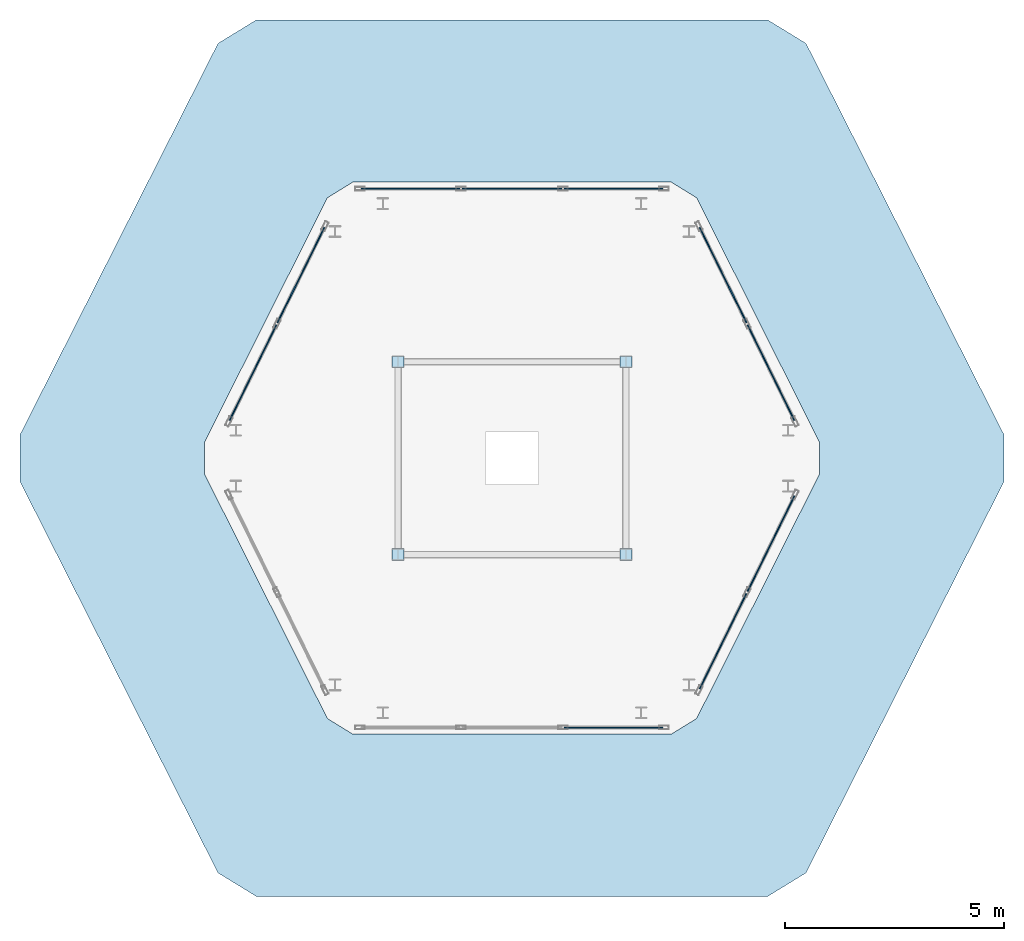
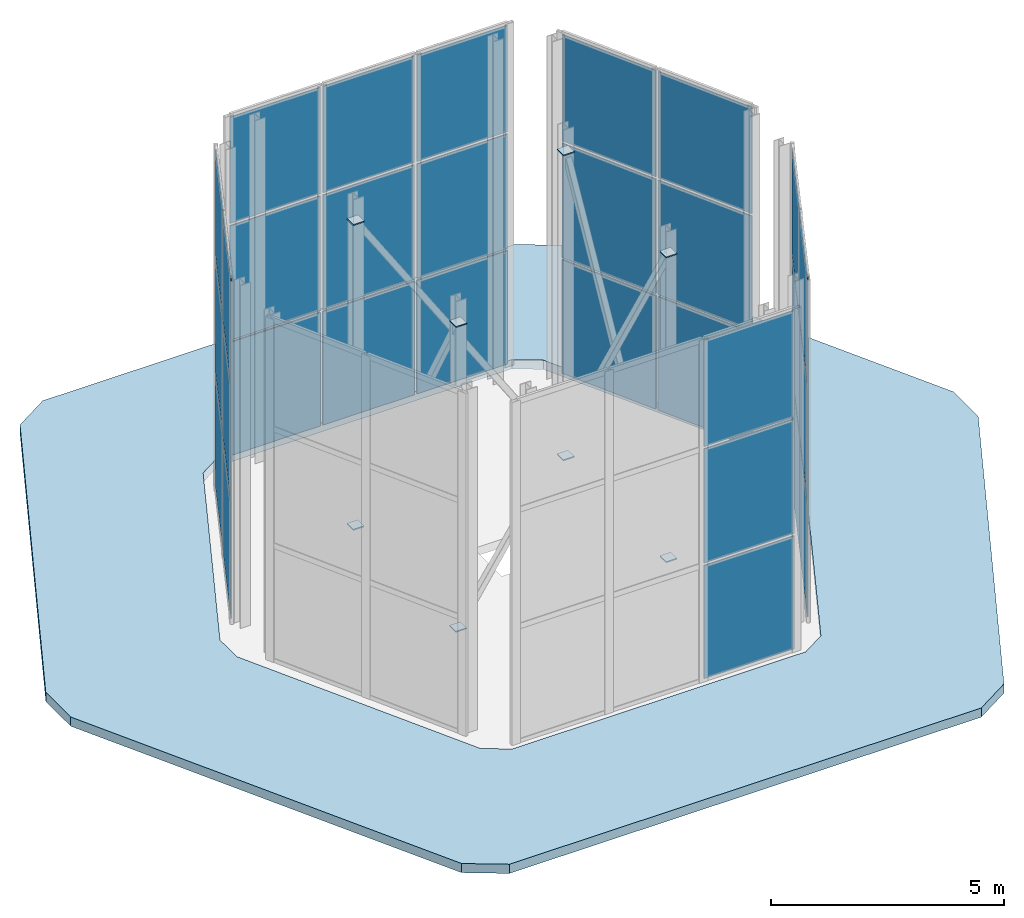
# One storey, part 3 of 3: 38 plates, 1 slab, 5 elements without a shape of their own.
"""IFC4 building model written with IfcOpenShell, lengths in metres."""

from ifc_helpers import new_model, si_unit, direction, frame, origin, origin_2d, place, context, subcontext, project, spatial, polyline, rectangle, outline, extrude, material, layer, layer_set, type_object, element, aggregate, save


model = new_model("IFC4")

# Units and contexts
model_context = context("Model", 3, precision=1e-05, world=origin(), true_north=direction((0.0, 1.0)))
body_context = subcontext(model_context, "Body", "Model", "MODEL_VIEW")
ifc_project = project(units=[si_unit("LENGTHUNIT", "METRE"), si_unit("AREAUNIT", "SQUARE_METRE"), si_unit("VOLUMEUNIT", "CUBIC_METRE"), si_unit("PLANEANGLEUNIT", "RADIAN"), si_unit("MASSUNIT", "GRAM", prefix="KILO")], contexts=[model_context])

# Site, building, storey
site_placement = place(None, origin())
site = spatial("IfcSite", under=ifc_project, at=site_placement, CompositionType="ELEMENT")
building_placement = place(site_placement, origin())
building = spatial("IfcBuilding", under=site, at=building_placement, Name="Cinnabar Lancet Tower", CompositionType="ELEMENT")
storey_placement = place(building_placement, frame((0.0, 0.0, 333.02490234375)))
storey = spatial("IfcBuildingStorey", under=building, at=storey_placement, Name="L83", CompositionType="ELEMENT", Elevation=333.02490234375)

# Curtain wall, plates
ifc_material_1 = material(Name="Thermally broken bronze-anodized aluminium and low-E glass", Category="aluminium")
ifc_layer_1 = layer(ifc_material_1, 0.179931640625)
ifc_layer_set_1 = layer_set([ifc_layer_1], Name="Thermally broken bronze-anodized aluminium and low-E glass")
curtain_wall_type = type_object("IfcCurtainWallType", Name="ENV-CW-SYS-06", PredefinedType="NOTDEFINED", material=ifc_layer_set_1)
curtain_wall_1_placement = place(storey_placement, origin())
curtain_wall_1 = element("IfcCurtainWall", 1, at=curtain_wall_1_placement, inside=storey, type_object=curtain_wall_type, Name="L83 Faceted Lancet Crown Curtain Wall 2", PredefinedType="NOTDEFINED")
ifc_material_2 = material(Name="Acoustic solar-control low-E laminated glass unit", Category="glass")
ifc_layer_2 = layer(ifc_material_2, 0.035888671875)
ifc_layer_set_2 = layer_set([ifc_layer_2], Name="Acoustic solar-control low-E laminated glass unit")
plate_type_1 = type_object("IfcPlateType", Name="ENV-CW-PNL-36", PredefinedType="CURTAIN_PANEL", material=ifc_layer_set_2)
plate_1_placement = place(storey_placement, frame((34.71630859375, 19.64990234375, 0.06005859375), z_axis=(0.0, 0.0, 1.0), x_axis=(1.0, 0.0, 0.0)))
plate_1 = element("IfcPlate", 2, at=plate_1_placement, type_object=plate_type_1, Name="CW-06 panel 3.1", PredefinedType="CURTAIN_PANEL", context=body_context, shape_type="SweptSolid", body=[
    extrude(rectangle(XDim=2.241455078125, YDim=0.028076171875, at=origin_2d()), origin(), (0.0, 0.0, 1.0), 2.9619140625),
])
plate_2_placement = place(storey_placement, frame((34.71630859375, 19.64990234375, 3.08203125), z_axis=(0.0, 0.0, 1.0), x_axis=(1.0, 0.0, 0.0)))
plate_2 = element("IfcPlate", 3, at=plate_2_placement, type_object=plate_type_1, Name="CW-06 panel 3.2", PredefinedType="CURTAIN_PANEL", context=body_context, shape_type="SweptSolid", body=[
    extrude(rectangle(XDim=2.241455078125, YDim=0.028076171875, at=origin_2d()), origin(), (0.0, 0.0, 1.0), 2.990966796875),
])
plate_3_placement = place(storey_placement, frame((34.71630859375, 19.64990234375, 6.13330078125), z_axis=(0.0, 0.0, 1.0), x_axis=(1.0, 0.0, 0.0)))
plate_3 = element("IfcPlate", 4, at=plate_3_placement, type_object=plate_type_1, Name="CW-06 panel 3.3", PredefinedType="CURTAIN_PANEL", context=body_context, shape_type="SweptSolid", body=[
    extrude(rectangle(XDim=2.241455078125, YDim=0.028076171875, at=origin_2d()), origin(), (0.0, 0.0, 1.0), 2.781982421875),
])
aggregate(curtain_wall_1, [plate_1, plate_2, plate_3])

curtain_wall_2_placement = place(storey_placement, origin())
curtain_wall_2 = element("IfcCurtainWall", 5, at=curtain_wall_2_placement, inside=storey, type_object=curtain_wall_type, Name="L83 Faceted Lancet Crown Curtain Wall 5", PredefinedType="NOTDEFINED")
plate_4_placement = place(storey_placement, frame((37.216552734375, 21.620849609375, 0.06005859375), z_axis=(0.0, 0.0, 1.0), x_axis=(0.440993880945, 0.897510109675, 0.0)))
plate_4 = element("IfcPlate", 6, at=plate_4_placement, type_object=plate_type_1, Name="CW-06 panel 1.1", PredefinedType="CURTAIN_PANEL", context=body_context, shape_type="SweptSolid", body=[
    extrude(rectangle(XDim=2.422607421875, YDim=0.028076171875, at=origin_2d()), origin(), (0.0, 0.0, 1.0), 2.9619140625),
])
plate_5_placement = place(storey_placement, frame((37.216552734375, 21.620849609375, 3.08203125), z_axis=(0.0, 0.0, 1.0), x_axis=(0.440993880945, 0.897510109675, 0.0)))
plate_5 = element("IfcPlate", 7, at=plate_5_placement, type_object=plate_type_1, Name="CW-06 panel 1.2", PredefinedType="CURTAIN_PANEL", context=body_context, shape_type="SweptSolid", body=[
    extrude(rectangle(XDim=2.422607421875, YDim=0.028076171875, at=origin_2d()), origin(), (0.0, 0.0, 1.0), 2.990966796875),
])
plate_6_placement = place(storey_placement, frame((37.216552734375, 21.620849609375, 6.13330078125), z_axis=(0.0, 0.0, 1.0), x_axis=(0.440993880945, 0.897510109675, 0.0)))
plate_6 = element("IfcPlate", 8, at=plate_6_placement, type_object=plate_type_1, Name="CW-06 panel 1.3", PredefinedType="CURTAIN_PANEL", context=body_context, shape_type="SweptSolid", body=[
    extrude(rectangle(XDim=2.422607421875, YDim=0.028076171875, at=origin_2d()), origin(), (0.0, 0.0, 1.0), 2.781982421875),
])
plate_7_placement = place(storey_placement, frame((38.311279296875, 23.84912109375, 0.06005859375), z_axis=(0.0, 0.0, 1.0), x_axis=(0.440993880945, 0.897510109675, 0.0)))
plate_7 = element("IfcPlate", 9, at=plate_7_placement, type_object=plate_type_1, Name="CW-06 panel 2.1", PredefinedType="CURTAIN_PANEL", context=body_context, shape_type="SweptSolid", body=[
    extrude(rectangle(XDim=2.422607421875, YDim=0.028076171875, at=origin_2d()), origin(), (0.0, 0.0, 1.0), 2.9619140625),
])
plate_8_placement = place(storey_placement, frame((38.311279296875, 23.84912109375, 3.08203125), z_axis=(0.0, 0.0, 1.0), x_axis=(0.440993880945, 0.897510109675, 0.0)))
plate_8 = element("IfcPlate", 10, at=plate_8_placement, type_object=plate_type_1, Name="CW-06 panel 2.2", PredefinedType="CURTAIN_PANEL", context=body_context, shape_type="SweptSolid", body=[
    extrude(rectangle(XDim=2.422607421875, YDim=0.028076171875, at=origin_2d()), origin(), (0.0, 0.0, 1.0), 2.990966796875),
])
plate_9_placement = place(storey_placement, frame((38.311279296875, 23.84912109375, 6.13330078125), z_axis=(0.0, 0.0, 1.0), x_axis=(0.440993880945, 0.897510109675, 0.0)))
plate_9 = element("IfcPlate", 11, at=plate_9_placement, type_object=plate_type_1, Name="CW-06 panel 2.3", PredefinedType="CURTAIN_PANEL", context=body_context, shape_type="SweptSolid", body=[
    extrude(rectangle(XDim=2.422607421875, YDim=0.028076171875, at=origin_2d()), origin(), (0.0, 0.0, 1.0), 2.781982421875),
])
aggregate(curtain_wall_2, [plate_4, plate_5, plate_6, plate_7, plate_8, plate_9])

curtain_wall_3_placement = place(storey_placement, origin())
curtain_wall_3 = element("IfcCurtainWall", 12, at=curtain_wall_3_placement, inside=storey, type_object=curtain_wall_type, Name="L83 Faceted Lancet Crown Curtain Wall 7", PredefinedType="NOTDEFINED")
plate_10_placement = place(storey_placement, frame((38.311279296875, 27.7509765625, 0.06005859375), z_axis=(0.0, 0.0, 1.0), x_axis=(-0.440993880945, 0.897510109675, 0.0)))
plate_10 = element("IfcPlate", 13, at=plate_10_placement, type_object=plate_type_1, Name="CW-06 panel 1.1", PredefinedType="CURTAIN_PANEL", context=body_context, shape_type="SweptSolid", body=[
    extrude(rectangle(XDim=2.422607421875, YDim=0.028076171875, at=origin_2d()), origin(), (0.0, 0.0, 1.0), 2.9619140625),
])
plate_11_placement = place(storey_placement, frame((38.311279296875, 27.7509765625, 3.08203125), z_axis=(0.0, 0.0, 1.0), x_axis=(-0.440993880945, 0.897510109675, 0.0)))
plate_11 = element("IfcPlate", 14, at=plate_11_placement, type_object=plate_type_1, Name="CW-06 panel 1.2", PredefinedType="CURTAIN_PANEL", context=body_context, shape_type="SweptSolid", body=[
    extrude(rectangle(XDim=2.422607421875, YDim=0.028076171875, at=origin_2d()), origin(), (0.0, 0.0, 1.0), 2.990966796875),
])
plate_12_placement = place(storey_placement, frame((38.311279296875, 27.7509765625, 6.13330078125), z_axis=(0.0, 0.0, 1.0), x_axis=(-0.440993880945, 0.897510109675, 0.0)))
plate_12 = element("IfcPlate", 15, at=plate_12_placement, type_object=plate_type_1, Name="CW-06 panel 1.3", PredefinedType="CURTAIN_PANEL", context=body_context, shape_type="SweptSolid", body=[
    extrude(rectangle(XDim=2.422607421875, YDim=0.028076171875, at=origin_2d()), origin(), (0.0, 0.0, 1.0), 2.781982421875),
])
plate_13_placement = place(storey_placement, frame((37.216552734375, 29.97900390625, 0.06005859375), z_axis=(0.0, 0.0, 1.0), x_axis=(-0.440993880945, 0.897510109675, 0.0)))
plate_13 = element("IfcPlate", 16, at=plate_13_placement, type_object=plate_type_1, Name="CW-06 panel 2.1", PredefinedType="CURTAIN_PANEL", context=body_context, shape_type="SweptSolid", body=[
    extrude(rectangle(XDim=2.422607421875, YDim=0.028076171875, at=origin_2d()), origin(), (0.0, 0.0, 1.0), 2.9619140625),
])
plate_14_placement = place(storey_placement, frame((37.216552734375, 29.97900390625, 3.08203125), z_axis=(0.0, 0.0, 1.0), x_axis=(-0.440993880945, 0.897510109675, 0.0)))
plate_14 = element("IfcPlate", 17, at=plate_14_placement, type_object=plate_type_1, Name="CW-06 panel 2.2", PredefinedType="CURTAIN_PANEL", context=body_context, shape_type="SweptSolid", body=[
    extrude(rectangle(XDim=2.422607421875, YDim=0.028076171875, at=origin_2d()), origin(), (0.0, 0.0, 1.0), 2.990966796875),
])
plate_15_placement = place(storey_placement, frame((37.216552734375, 29.97900390625, 6.13330078125), z_axis=(0.0, 0.0, 1.0), x_axis=(-0.440993880945, 0.897510109675, 0.0)))
plate_15 = element("IfcPlate", 18, at=plate_15_placement, type_object=plate_type_1, Name="CW-06 panel 2.3", PredefinedType="CURTAIN_PANEL", context=body_context, shape_type="SweptSolid", body=[
    extrude(rectangle(XDim=2.422607421875, YDim=0.028076171875, at=origin_2d()), origin(), (0.0, 0.0, 1.0), 2.781982421875),
])
aggregate(curtain_wall_3, [plate_10, plate_11, plate_12, plate_13, plate_14, plate_15])

curtain_wall_4_placement = place(storey_placement, origin())
curtain_wall_4 = element("IfcCurtainWall", 19, at=curtain_wall_4_placement, inside=storey, type_object=curtain_wall_type, Name="L83 Faceted Lancet Crown Curtain Wall 10", PredefinedType="NOTDEFINED")
plate_16_placement = place(storey_placement, frame((34.71630859375, 31.949951171875, 0.06005859375), z_axis=(0.0, 0.0, 1.0), x_axis=(-1.0, 0.0, 0.0)))
plate_16 = element("IfcPlate", 20, at=plate_16_placement, type_object=plate_type_1, Name="CW-06 panel 1.1", PredefinedType="CURTAIN_PANEL", context=body_context, shape_type="SweptSolid", body=[
    extrude(rectangle(XDim=2.241455078125, YDim=0.028076171875, at=origin_2d()), origin(), (0.0, 0.0, 1.0), 2.9619140625),
])
plate_17_placement = place(storey_placement, frame((34.71630859375, 31.949951171875, 3.08203125), z_axis=(0.0, 0.0, 1.0), x_axis=(-1.0, 0.0, 0.0)))
plate_17 = element("IfcPlate", 21, at=plate_17_placement, type_object=plate_type_1, Name="CW-06 panel 1.2", PredefinedType="CURTAIN_PANEL", context=body_context, shape_type="SweptSolid", body=[
    extrude(rectangle(XDim=2.241455078125, YDim=0.028076171875, at=origin_2d()), origin(), (0.0, 0.0, 1.0), 2.990966796875),
])
plate_18_placement = place(storey_placement, frame((34.71630859375, 31.949951171875, 6.13330078125), z_axis=(0.0, 0.0, 1.0), x_axis=(-1.0, 0.0, 0.0)))
plate_18 = element("IfcPlate", 22, at=plate_18_placement, type_object=plate_type_1, Name="CW-06 panel 1.3", PredefinedType="CURTAIN_PANEL", context=body_context, shape_type="SweptSolid", body=[
    extrude(rectangle(XDim=2.241455078125, YDim=0.028076171875, at=origin_2d()), origin(), (0.0, 0.0, 1.0), 2.781982421875),
])
plate_19_placement = place(storey_placement, frame((32.39990234375, 31.949951171875, 0.06005859375), z_axis=(0.0, 0.0, 1.0), x_axis=(-1.0, 0.0, 0.0)))
plate_19 = element("IfcPlate", 23, at=plate_19_placement, type_object=plate_type_1, Name="CW-06 panel 2.1", PredefinedType="CURTAIN_PANEL", context=body_context, shape_type="SweptSolid", body=[
    extrude(rectangle(XDim=2.271240234375, YDim=0.028076171875, at=origin_2d()), origin(), (0.0, 0.0, 1.0), 2.9619140625),
])
plate_20_placement = place(storey_placement, frame((32.39990234375, 31.949951171875, 3.08203125), z_axis=(0.0, 0.0, 1.0), x_axis=(-1.0, 0.0, 0.0)))
plate_20 = element("IfcPlate", 24, at=plate_20_placement, type_object=plate_type_1, Name="CW-06 panel 2.2", PredefinedType="CURTAIN_PANEL", context=body_context, shape_type="SweptSolid", body=[
    extrude(rectangle(XDim=2.271240234375, YDim=0.028076171875, at=origin_2d()), origin(), (0.0, 0.0, 1.0), 2.990966796875),
])
plate_21_placement = place(storey_placement, frame((32.39990234375, 31.949951171875, 6.13330078125), z_axis=(0.0, 0.0, 1.0), x_axis=(-1.0, 0.0, 0.0)))
plate_21 = element("IfcPlate", 25, at=plate_21_placement, type_object=plate_type_1, Name="CW-06 panel 2.3", PredefinedType="CURTAIN_PANEL", context=body_context, shape_type="SweptSolid", body=[
    extrude(rectangle(XDim=2.271240234375, YDim=0.028076171875, at=origin_2d()), origin(), (0.0, 0.0, 1.0), 2.781982421875),
])
plate_22_placement = place(storey_placement, frame((30.083740234375, 31.949951171875, 0.06005859375), z_axis=(0.0, 0.0, 1.0), x_axis=(-1.0, 0.0, 0.0)))
plate_22 = element("IfcPlate", 26, at=plate_22_placement, type_object=plate_type_1, Name="CW-06 panel 3.1", PredefinedType="CURTAIN_PANEL", context=body_context, shape_type="SweptSolid", body=[
    extrude(rectangle(XDim=2.241455078125, YDim=0.028076171875, at=origin_2d()), origin(), (0.0, 0.0, 1.0), 2.9619140625),
])
plate_23_placement = place(storey_placement, frame((30.083740234375, 31.949951171875, 3.08203125), z_axis=(0.0, 0.0, 1.0), x_axis=(-1.0, 0.0, 0.0)))
plate_23 = element("IfcPlate", 27, at=plate_23_placement, type_object=plate_type_1, Name="CW-06 panel 3.2", PredefinedType="CURTAIN_PANEL", context=body_context, shape_type="SweptSolid", body=[
    extrude(rectangle(XDim=2.241455078125, YDim=0.028076171875, at=origin_2d()), origin(), (0.0, 0.0, 1.0), 2.990966796875),
])
plate_24_placement = place(storey_placement, frame((30.083740234375, 31.949951171875, 6.13330078125), z_axis=(0.0, 0.0, 1.0), x_axis=(-1.0, 0.0, 0.0)))
plate_24 = element("IfcPlate", 28, at=plate_24_placement, type_object=plate_type_1, Name="CW-06 panel 3.3", PredefinedType="CURTAIN_PANEL", context=body_context, shape_type="SweptSolid", body=[
    extrude(rectangle(XDim=2.241455078125, YDim=0.028076171875, at=origin_2d()), origin(), (0.0, 0.0, 1.0), 2.781982421875),
])
aggregate(curtain_wall_4, [plate_16, plate_17, plate_18, plate_19, plate_20, plate_21, plate_22, plate_23, plate_24])

curtain_wall_5_placement = place(storey_placement, origin())
curtain_wall_5 = element("IfcCurtainWall", 29, at=curtain_wall_5_placement, inside=storey, type_object=curtain_wall_type, Name="L83 Faceted Lancet Crown Curtain Wall 13", PredefinedType="NOTDEFINED")
plate_25_placement = place(storey_placement, frame((27.58349609375, 29.97900390625, 0.06005859375), z_axis=(0.0, 0.0, 1.0), x_axis=(-0.440993880945, -0.897510109675, 0.0)))
plate_25 = element("IfcPlate", 30, at=plate_25_placement, type_object=plate_type_1, Name="CW-06 panel 1.1", PredefinedType="CURTAIN_PANEL", context=body_context, shape_type="SweptSolid", body=[
    extrude(rectangle(XDim=2.422607421875, YDim=0.028076171875, at=origin_2d()), origin(), (0.0, 0.0, 1.0), 2.9619140625),
])
plate_26_placement = place(storey_placement, frame((27.58349609375, 29.97900390625, 3.08203125), z_axis=(0.0, 0.0, 1.0), x_axis=(-0.440993880945, -0.897510109675, 0.0)))
plate_26 = element("IfcPlate", 31, at=plate_26_placement, type_object=plate_type_1, Name="CW-06 panel 1.2", PredefinedType="CURTAIN_PANEL", context=body_context, shape_type="SweptSolid", body=[
    extrude(rectangle(XDim=2.422607421875, YDim=0.028076171875, at=origin_2d()), origin(), (0.0, 0.0, 1.0), 2.990966796875),
])
plate_27_placement = place(storey_placement, frame((27.58349609375, 29.97900390625, 6.13330078125), z_axis=(0.0, 0.0, 1.0), x_axis=(-0.440993880945, -0.897510109675, 0.0)))
plate_27 = element("IfcPlate", 32, at=plate_27_placement, type_object=plate_type_1, Name="CW-06 panel 1.3", PredefinedType="CURTAIN_PANEL", context=body_context, shape_type="SweptSolid", body=[
    extrude(rectangle(XDim=2.422607421875, YDim=0.028076171875, at=origin_2d()), origin(), (0.0, 0.0, 1.0), 2.781982421875),
])
plate_28_placement = place(storey_placement, frame((26.488525390625, 27.7509765625, 0.06005859375), z_axis=(0.0, 0.0, 1.0), x_axis=(-0.440993880945, -0.897510109675, 0.0)))
plate_28 = element("IfcPlate", 33, at=plate_28_placement, type_object=plate_type_1, Name="CW-06 panel 2.1", PredefinedType="CURTAIN_PANEL", context=body_context, shape_type="SweptSolid", body=[
    extrude(rectangle(XDim=2.422607421875, YDim=0.028076171875, at=origin_2d()), origin(), (0.0, 0.0, 1.0), 2.9619140625),
])
plate_29_placement = place(storey_placement, frame((26.488525390625, 27.7509765625, 3.08203125), z_axis=(0.0, 0.0, 1.0), x_axis=(-0.440993880945, -0.897510109675, 0.0)))
plate_29 = element("IfcPlate", 34, at=plate_29_placement, type_object=plate_type_1, Name="CW-06 panel 2.2", PredefinedType="CURTAIN_PANEL", context=body_context, shape_type="SweptSolid", body=[
    extrude(rectangle(XDim=2.422607421875, YDim=0.028076171875, at=origin_2d()), origin(), (0.0, 0.0, 1.0), 2.990966796875),
])
plate_30_placement = place(storey_placement, frame((26.488525390625, 27.7509765625, 6.13330078125), z_axis=(0.0, 0.0, 1.0), x_axis=(-0.440993880945, -0.897510109675, 0.0)))
plate_30 = element("IfcPlate", 35, at=plate_30_placement, type_object=plate_type_1, Name="CW-06 panel 2.3", PredefinedType="CURTAIN_PANEL", context=body_context, shape_type="SweptSolid", body=[
    extrude(rectangle(XDim=2.422607421875, YDim=0.028076171875, at=origin_2d()), origin(), (0.0, 0.0, 1.0), 2.781982421875),
])
aggregate(curtain_wall_5, [plate_25, plate_26, plate_27, plate_28, plate_29, plate_30])

# Plates
ifc_material_3 = material(Name="Structural steel S460", Category="steel")
ifc_layer_3 = layer(ifc_material_3, 0.030029296875)
ifc_layer_set_3 = layer_set([ifc_layer_3], Name="Structural steel S460")
plate_type_2 = type_object("IfcPlateType", Name="STR-PL-CAP-25", PredefinedType="SHEET", material=ifc_layer_set_3)
for number, where, z_axis, x_axis, name in (
    (36, (29.800048828125, 23.60009765625, 0.3251953125), (0.0, 0.0, 1.0), (-1.0, 0.0, 0.0), "Hollow section end cap plate CP-CRNBRC-L83-1A"),
    (37, (35.0, 23.60009765625, 8.30029296875), (0.0, 0.0, 1.0), (1.0, 0.0, 0.0), "Hollow section end cap plate CP-CRNBRC-L83-1B"),
    (38, (35.0, 23.60009765625, 0.3251953125), (0.0, 0.0, 1.0), (0.0, -1.0, 0.0), "Hollow section end cap plate CP-CRNBRC-L83-2A"),
    (39, (35.0, 28.0, 8.30029296875), (0.0, 0.0, 1.0), (0.0, 1.0, 0.0), "Hollow section end cap plate CP-CRNBRC-L83-2B"),
    (40, (35.0, 28.0, 0.3251953125), (0.0, 0.0, 1.0), (1.0, 0.0, 0.0), "Hollow section end cap plate CP-CRNBRC-L83-3A"),
    (41, (29.800048828125, 28.0, 8.30029296875), (0.0, 0.0, 1.0), (-1.0, 0.0, 0.0), "Hollow section end cap plate CP-CRNBRC-L83-3B"),
    (42, (29.800048828125, 28.0, 0.3251953125), (0.0, 0.0, 1.0), (0.0, 1.0, 0.0), "Hollow section end cap plate CP-CRNBRC-L83-4A"),
    (43, (29.800048828125, 23.60009765625, 8.30029296875), (0.0, 0.0, 1.0), (0.0, -1.0, 0.0), "Hollow section end cap plate CP-CRNBRC-L83-4B"),
):
    element("IfcPlate", number, at=place(storey_placement, frame(where, z_axis=z_axis, x_axis=x_axis)), inside=storey, type_object=plate_type_2, Name=name, PredefinedType="SHEET", context=body_context, shape_type="SweptSolid", body=[
        extrude(rectangle(XDim=0.27001953125, YDim=0.27001953125, at=origin_2d()), origin(), (0.0, 0.0, 1.0), 0.030029296875),
    ])

# Slab
ifc_material_4 = material(Name="Concrete C45/55", Category="concrete")
ifc_layer_4 = layer(ifc_material_4, 0.239990234375)
ifc_layer_set_4 = layer_set([ifc_layer_4], Name="Concrete C45/55")
slab_type = type_object("IfcSlabType", Name="STR-SLB-ROOF-240", PredefinedType="ROOF", material=ifc_layer_set_4)
slab_placement = place(storey_placement, frame((0.0, 0.0, -0.239990234375)))
element("IfcSlab", 44, at=slab_placement, inside=storey, type_object=slab_type, Name="L83 Crown Step-In Roof Apron", PredefinedType="ROOF", context=body_context, shape_type="SweptSolid", body=[
    extrude(outline(polyline([(25.68896484375, 16.3349609375), (26.56005859375, 15.800048828125), (38.239990234375, 15.800048828125), (39.111083984375, 16.3349609375), (43.62890625, 25.264892578125), (43.62890625, 26.3349609375), (39.111083984375, 35.264892578125), (38.239990234375, 35.800048828125), (26.56005859375, 35.800048828125), (25.68896484375, 35.264892578125), (21.1708984375, 26.3349609375), (21.1708984375, 25.264892578125), (25.68896484375, 16.3349609375)]), holes=[polyline([(28.18798828125, 19.85693359375), (28.76806640625, 19.5), (36.031982421875, 19.5), (36.612060546875, 19.85693359375), (39.419921875, 25.443115234375), (39.419921875, 26.156982421875), (36.612060546875, 31.742919921875), (36.031982421875, 32.10009765625), (28.76806640625, 32.10009765625), (28.18798828125, 31.742919921875), (25.3798828125, 26.156982421875), (25.3798828125, 25.443115234375), (28.18798828125, 19.85693359375)])]), origin(), (0.0, 0.0, 1.0), 0.239990234375),
])

save(model, "model.ifc")
